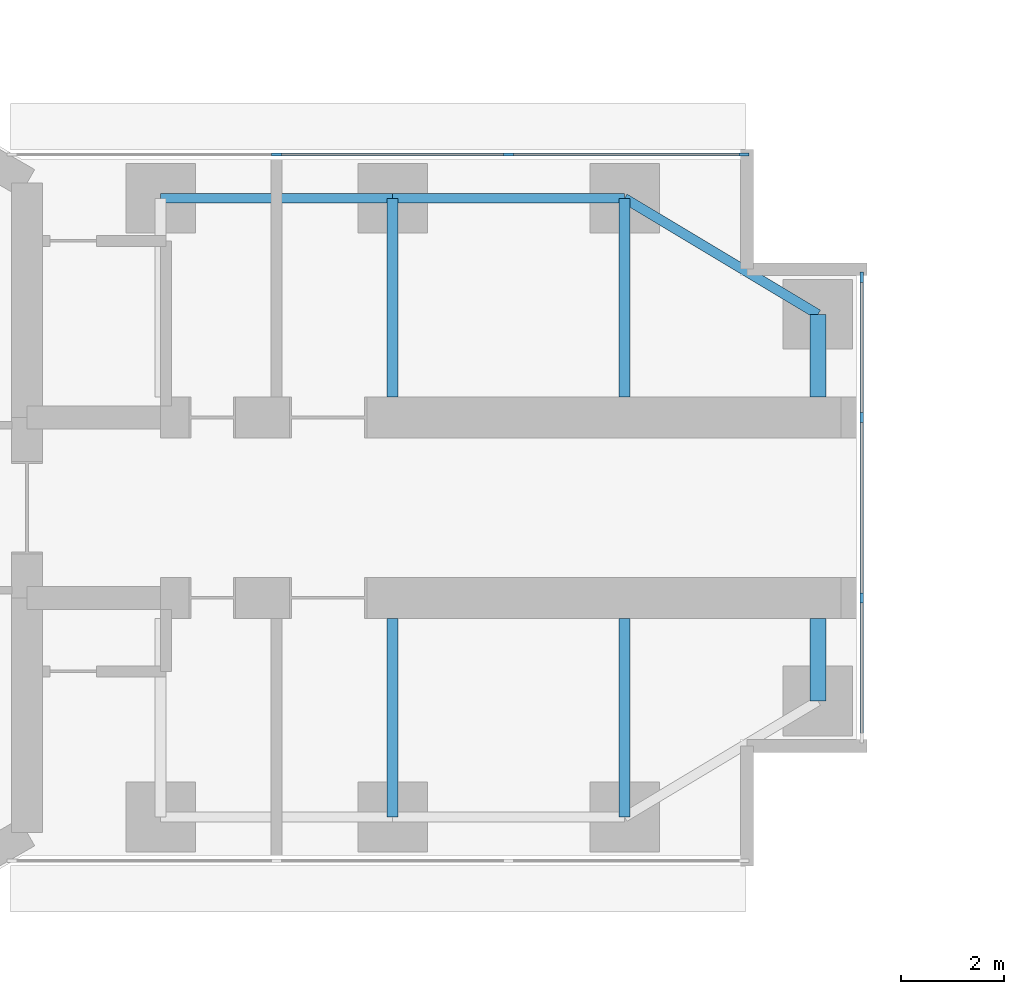
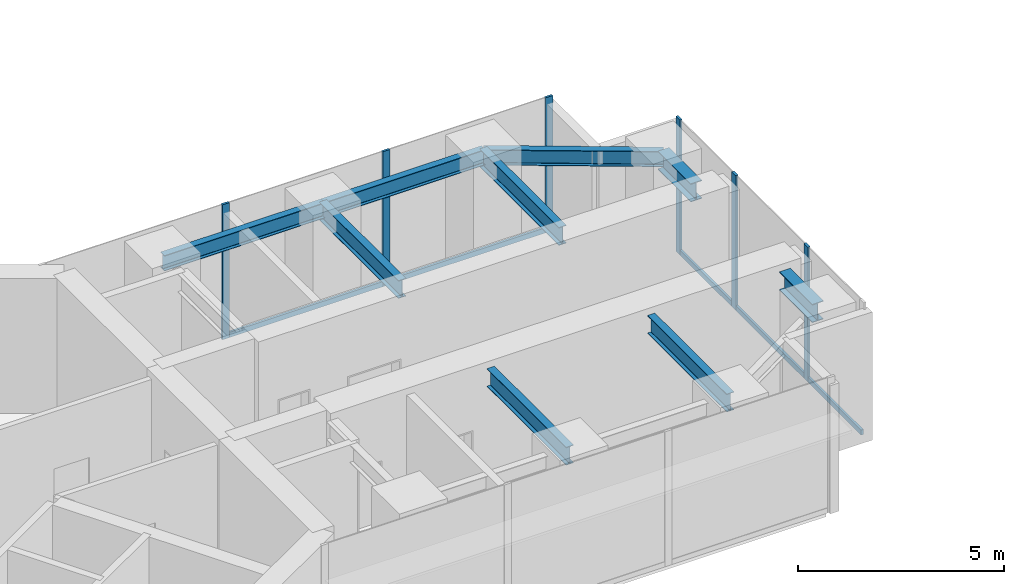
# One storey, part 7 of 21: 11 members, 9 beams, 2 elements without a shape of their own.
"""IFC4 building model written with IfcOpenShell, lengths in metres."""

import ifcopenshell
import ifcopenshell.guid

model = None  # the IFC model being written
_history = None  # IfcOwnerHistory: only IFC2X3 demands one
_inside = {}  # id of a spatial element -> (the spatial element, [elements in it])
_under = {}  # id of a project, library or spatial element -> (it, [spatial elements below it])
_declared = {}  # id of a project -> (the project, [libraries it declares])
_typed = {}  # id of a type object -> (the type object, [elements of that type])
_made_of = {}  # id of a material, layer set ... -> (it, [elements and type objects made of it])


def new_model(schema):
    """Start an empty IFC model of exactly this schema.

    Asked for "IFC4X3", IfcOpenShell would pick the latest addendum, in which some entities
    have other attributes; the version numbers below select the first issue.
    IFC2X3 requires an IfcOwnerHistory on every rooted entity: one is made here for all.
    """
    global model, _history
    if schema == "IFC4X3":
        model = ifcopenshell.file(schema_version=(4, 3, 0, 0))
    else:
        model = ifcopenshell.file(schema=schema)
    _inside.clear()
    _under.clear()
    _declared.clear()
    _typed.clear()
    _made_of.clear()
    _history = None
    if model.schema == "IFC2X3":
        org = make("IfcOrganization", Name="unknown")
        user = make(
            "IfcPersonAndOrganization",
            ThePerson=make("IfcPerson", FamilyName="unknown"),
            TheOrganization=org,
        )
        app = make(
            "IfcApplication",
            ApplicationDeveloper=org,
            Version="unknown",
            ApplicationFullName="unknown",
            ApplicationIdentifier="unknown",
        )
        _history = make(
            "IfcOwnerHistory",
            OwningUser=user,
            OwningApplication=app,
            ChangeAction="ADDED",
            CreationDate=0,
        )
    return model


def make(cls, **values):
    """One entity of the class cls with the attributes given. An attribute that is None is left unset."""
    return model.create_entity(
        cls, **{name: value for name, value in values.items() if value is not None}
    )


def rooted(cls, **values):
    """An entity with a GlobalId (a new one), such as an element, a storey or a relation."""
    return make(cls, GlobalId=ifcopenshell.guid.new(), OwnerHistory=_history, **values)


def si_unit(unit_type, name, prefix=None):
    """IfcSIUnit, for example si_unit("LENGTHUNIT", "METRE", prefix="MILLI")."""
    return make("IfcSIUnit", UnitType=unit_type, Prefix=prefix, Name=name)


def assignment(units):
    """IfcUnitAssignment: the units of a project."""
    return None if units is None else make("IfcUnitAssignment", Units=units)


def point(xyz):
    """IfcCartesianPoint."""
    return None if xyz is None else make("IfcCartesianPoint", Coordinates=xyz)


def direction(xyz):
    """IfcDirection."""
    return None if xyz is None else make("IfcDirection", DirectionRatios=xyz)


def frame(location, z_axis=None, x_axis=None):
    """IfcAxis2Placement3D, a coordinate frame: its origin and axes. An axis left out is left unset."""
    return make(
        "IfcAxis2Placement3D",
        Location=point(location),
        Axis=direction(z_axis),
        RefDirection=direction(x_axis),
    )


def frame_2d(location, x_axis=None):
    """IfcAxis2Placement2D, a coordinate frame in the plane: its origin and x axis."""
    return make(
        "IfcAxis2Placement2D", Location=point(location), RefDirection=direction(x_axis)
    )


def origin():
    """The frame at (0, 0, 0) with its axes left unset."""
    return frame((0.0, 0.0, 0.0))


def origin_2d():
    """The frame at (0, 0) in the plane with its x axis left unset."""
    return frame_2d((0.0, 0.0))


def place(relative_to, where):
    """IfcLocalPlacement: puts the frame where relative to a parent placement (None: the world)."""
    return make(
        "IfcLocalPlacement", PlacementRelTo=relative_to, RelativePlacement=where
    )


def context(
    kind, dimensions, precision=None, world=None, true_north=None, identifier=None
):
    """IfcGeometricRepresentationContext, for example the 3D "Model" context."""
    return make(
        "IfcGeometricRepresentationContext",
        ContextIdentifier=identifier,
        ContextType=kind,
        CoordinateSpaceDimension=dimensions,
        Precision=precision,
        WorldCoordinateSystem=world,
        TrueNorth=true_north,
    )


def subcontext(parent, identifier, kind, view, scale=None):
    """IfcGeometricRepresentationSubContext, for example "Body" below "Model"."""
    return make(
        "IfcGeometricRepresentationSubContext",
        ContextIdentifier=identifier,
        ContextType=kind,
        ParentContext=parent,
        TargetScale=scale,
        TargetView=view,
    )


def project(units=None, contexts=None):
    """IfcProject with its units and contexts."""
    return rooted(
        "IfcProject",
        Name="project",
        RepresentationContexts=contexts,
        UnitsInContext=assignment(units),
    )


def spatial(cls, under=None, at=None, **own):
    """A site, building, storey or space (cls), placed at a placement, below another one or the project."""
    s = rooted(cls, ObjectPlacement=at, **own)
    if under is not None:
        _under.setdefault(under.id(), (under, []))[1].append(s)
    return s


def profile(cls, at=None, kind="AREA", **sizes):
    """A parametric profile (cls). Its sizes go by their IFC names, for example OverallWidth=200.0."""
    return make(cls, ProfileType=kind, Position=at, **sizes)


def rectangle(**sizes):
    """IfcRectangleProfileDef."""
    return profile("IfcRectangleProfileDef", **sizes)


def i_section(**sizes):
    """IfcIShapeProfileDef."""
    return profile("IfcIShapeProfileDef", **sizes)


def extrude(swept, where, along, depth):
    """IfcExtrudedAreaSolid: the profile swept, set in the frame where, extruded along a direction by depth."""
    return make(
        "IfcExtrudedAreaSolid",
        SweptArea=swept,
        Position=where,
        ExtrudedDirection=direction(along),
        Depth=depth,
    )


def shape(context_of_items, identifier, shape_type, items):
    """IfcShapeRepresentation: the items that make up one representation, for example the "Body"."""
    return make(
        "IfcShapeRepresentation",
        ContextOfItems=context_of_items,
        RepresentationIdentifier=identifier,
        RepresentationType=shape_type,
        Items=items,
    )


def material(Name=None, Category=None):
    """IfcMaterial."""
    return make("IfcMaterial", Name=Name, Category=Category)


def material_profile(
    of_material, cross_section, Name=None, Category=None, Priority=None
):
    """IfcMaterialProfile: a cross section and its material."""
    return make(
        "IfcMaterialProfile",
        Name=Name,
        Material=of_material,
        Profile=cross_section,
        Priority=Priority,
        Category=Category,
    )


def profile_set(profiles, Name=None, composite=None):
    """IfcMaterialProfileSet."""
    return make(
        "IfcMaterialProfileSet",
        Name=Name,
        MaterialProfiles=profiles,
        CompositeProfile=composite,
    )


def made_of(thing, what):
    """Note that an element or type object is made of a material, layer set ...; save() writes the relation."""
    if what is not None:
        _made_of.setdefault(what.id(), (what, []))[1].append(thing)
    return thing


def type_object(cls, material=None, **own):
    """A type object (cls), such as IfcWallType, which elements share."""
    return made_of(rooted(cls, **own), material)


def element(
    cls,
    number,
    at=None,
    inside=None,
    cuts=None,
    type_object=None,
    material=None,
    context=None,
    identifier="Body",
    shape_type=None,
    held_by="IfcProductDefinitionShape",
    body=None,
    shapes=None,
    **own,
):
    """One element of the class cls, such as IfcWall. Its Tag is "e" and its number.

    at: its placement. inside: the storey or other place that contains it. cuts: it is an
    opening in that element (IfcRelVoidsElement). A single representation is given by context,
    identifier, shape_type and body (its items); several are given by shapes. held_by: the class
    of the entity that holds the representations. save() writes the other relations.
    """
    e = rooted(cls, Tag="e%d" % number, ObjectPlacement=at, **own)
    if body is not None:
        shapes = [shape(context, identifier, shape_type, body)]
    if shapes is not None:
        e.Representation = make(held_by, Representations=shapes)
    if inside is not None:
        _inside.setdefault(inside.id(), (inside, []))[1].append(e)
    if cuts is not None:
        rooted(
            "IfcRelVoidsElement", RelatingBuildingElement=cuts, RelatedOpeningElement=e
        )
    if type_object is not None:
        _typed.setdefault(type_object.id(), (type_object, []))[1].append(e)
    return made_of(e, material)


def aggregate(whole, parts):
    """IfcRelAggregates: a whole, such as a stair, and the parts it consists of."""
    return rooted("IfcRelAggregates", RelatingObject=whole, RelatedObjects=parts)


def save(model, path):
    """Write the relations noted so far, then the file.

    IfcRelAggregates (storeys below a building ...), IfcRelContainedInSpatialStructure (elements
    in a storey), IfcRelDefinesByType, IfcRelAssociatesMaterial and IfcRelDeclares: one each for
    every whole, place, type object, material and project.
    """
    for whole, parts in _under.values():
        aggregate(whole, parts)
    for where, things in _inside.values():
        rooted(
            "IfcRelContainedInSpatialStructure",
            RelatedElements=things,
            RelatingStructure=where,
        )
    for kind, things in _typed.values():
        rooted("IfcRelDefinesByType", RelatedObjects=things, RelatingType=kind)
    for what, things in _made_of.values():
        rooted("IfcRelAssociatesMaterial", RelatedObjects=things, RelatingMaterial=what)
    for by, libraries in _declared.values():
        rooted("IfcRelDeclares", RelatingContext=by, RelatedDefinitions=libraries)
    model.write(path)


model = new_model("IFC4")

# Units and contexts
model_context = context("Model", 3, precision=1e-05, world=origin(), true_north=direction((0.0, 1.0)))
body_context = subcontext(model_context, "Body", "Model", "MODEL_VIEW")
ifc_project = project(units=[si_unit("LENGTHUNIT", "METRE"), si_unit("AREAUNIT", "SQUARE_METRE"), si_unit("VOLUMEUNIT", "CUBIC_METRE"), si_unit("PLANEANGLEUNIT", "RADIAN"), si_unit("MASSUNIT", "GRAM", prefix="KILO")], contexts=[model_context])

# Site, building, storey
site_placement = place(None, origin())
site = spatial("IfcSite", under=ifc_project, at=site_placement, CompositionType="ELEMENT")
building_placement = place(site_placement, origin())
building = spatial("IfcBuilding", under=site, at=building_placement, Name="Upepo Twin Towers", CompositionType="ELEMENT")
storey_placement = place(building_placement, frame((0.0, 0.0, 105.5)))
storey = spatial("IfcBuildingStorey", under=building, at=storey_placement, Name="L25", CompositionType="ELEMENT", Elevation=105.5)

# Beams
ifc_material_1 = material(Name="Steel S355", Category="steel")
ifc_material_profile_1 = material_profile(ifc_material_1, i_section(OverallWidth=0.1904296875, OverallDepth=0.45703125, WebThickness=0.009033203125, FlangeThickness=0.014404296875, FilletRadius=0.01025390625, at=origin_2d()), Name="UB 457x191x74")
ifc_profile_set_1 = profile_set([ifc_material_profile_1], Name="Steel S355")
beam_type_1 = type_object("IfcBeamType", Name="Beam UB 457x191x74", PredefinedType="BEAM", material=ifc_profile_set_1)
for number, where, z_axis, x_axis, name in (
    (1, (13.5, 6.0, 3.571533203125), (1.0, 0.0, 0.0), (0.0, 1.0, 0.0), "T1 edge beam AL 13.5-18.0"),
    (2, (18.0, 6.0, 3.571533203125), (1.0, 0.0, 0.0), (0.0, 1.0, 0.0), "T1 edge beam AL 18.0-22.5"),
):
    element("IfcBeam", number, at=place(storey_placement, frame(where, z_axis=z_axis, x_axis=x_axis)), inside=storey, type_object=beam_type_1, Name=name, PredefinedType="BEAM", context=body_context, shape_type="SweptSolid", body=[
        extrude(i_section(OverallWidth=0.1904296875, OverallDepth=0.45703125, WebThickness=0.009033203125, FlangeThickness=0.014404296875, FilletRadius=0.01025390625, at=origin_2d()), origin(), (0.0, 0.0, 1.0), 4.5),
    ])
beam_placement = place(storey_placement, frame((22.5, 6.0, 3.571533203125), z_axis=(0.857492925713, -0.514495755428, 0.0), x_axis=(0.514495755428, 0.857492925713, 0.0)))
element("IfcBeam", 3, at=beam_placement, inside=storey, type_object=beam_type_1, Name="T1 nose edge beam AL", PredefinedType="BEAM", context=body_context, shape_type="SweptSolid", body=[
    extrude(i_section(OverallWidth=0.1904296875, OverallDepth=0.45703125, WebThickness=0.009033203125, FlangeThickness=0.014404296875, FilletRadius=0.01025390625, at=origin_2d()), origin(), (0.0, 0.0, 1.0), 4.373291015625),
])
ifc_material_2 = material(Name="Steel S355", Category="steel")
ifc_material_profile_2 = material_profile(ifc_material_2, i_section(OverallWidth=0.209228515625, OverallDepth=0.533203125, WebThickness=0.010009765625, FlangeThickness=0.015625, FilletRadius=0.0126953125, at=origin_2d()), Name="UB 533x210x92")
ifc_profile_set_2 = profile_set([ifc_material_profile_2], Name="Steel S355")
beam_type_2 = type_object("IfcBeamType", Name="Beam UB 533x210x92", PredefinedType="BEAM", material=ifc_profile_set_2)
for number, where, z_axis, x_axis, name in (
    (4, (18.0, 6.0, 3.533447265625), (0.0, -1.0, 0.0), (1.0, 0.0, 0.0), "T1 girder AL at 18.0"),
    (5, (22.5, 6.0, 3.533447265625), (0.0, -1.0, 0.0), (1.0, 0.0, 0.0), "T1 girder AL at 22.5"),
    (6, (18.0, -6.0, 3.533447265625), (0.0, 1.0, 0.0), (-1.0, 0.0, 0.0), "T1 girder AR at 18.0"),
    (7, (22.5, -6.0, 3.533447265625), (0.0, 1.0, 0.0), (-1.0, 0.0, 0.0), "T1 girder AR at 22.5"),
):
    element("IfcBeam", number, at=place(storey_placement, frame(where, z_axis=z_axis, x_axis=x_axis)), inside=storey, type_object=beam_type_2, Name=name, PredefinedType="BEAM", context=body_context, shape_type="SweptSolid", body=[
        extrude(i_section(OverallWidth=0.209228515625, OverallDepth=0.533203125, WebThickness=0.010009765625, FlangeThickness=0.015625, FilletRadius=0.0126953125, at=origin_2d()), origin(), (0.0, 0.0, 1.0), 3.85009765625),
    ])
ifc_material_3 = material(Name="Steel S355", Category="steel")
ifc_material_profile_3 = material_profile(ifc_material_3, i_section(OverallWidth=0.31201171875, OverallDepth=0.54345703125, WebThickness=0.0126953125, FlangeThickness=0.020263671875, FilletRadius=0.0126953125, at=origin_2d()), Name="UB 533x312x150")
ifc_profile_set_3 = profile_set([ifc_material_profile_3], Name="Steel S355")
beam_type_3 = type_object("IfcBeamType", Name="Beam UB 533x312x150", PredefinedType="BEAM", material=ifc_profile_set_3)
for number, where, z_axis, x_axis, name in (
    (8, (26.25, 3.75, 3.5283203125), (0.0, -1.0, 0.0), (1.0, 0.0, 0.0), "T1 nose beam AL"),
    (9, (26.25, -3.75, 3.5283203125), (0.0, 1.0, 0.0), (-1.0, 0.0, 0.0), "T1 nose beam AR"),
):
    element("IfcBeam", number, at=place(storey_placement, frame(where, z_axis=z_axis, x_axis=x_axis)), inside=storey, type_object=beam_type_3, Name=name, PredefinedType="BEAM", context=body_context, shape_type="SweptSolid", body=[
        extrude(i_section(OverallWidth=0.31201171875, OverallDepth=0.54345703125, WebThickness=0.0126953125, FlangeThickness=0.020263671875, FilletRadius=0.0126953125, at=origin_2d()), origin(), (0.0, 0.0, 1.0), 1.60009765625),
    ])

# Curtain wall, members
ifc_material_4 = material(Name="Aluminium and fritted glass", Category="aluminium")
curtain_wall_type = type_object("IfcCurtainWallType", Name="Tower curtain wall TW2, fritted glass", PredefinedType="NOTDEFINED", material=ifc_material_4)
curtain_wall_1_placement = place(storey_placement, origin())
curtain_wall_1 = element("IfcCurtainWall", 10, at=curtain_wall_1_placement, inside=storey, type_object=curtain_wall_type, Name="T1 L25 wing A flank L curtain wall", PredefinedType="NOTDEFINED")
ifc_material_5 = material(Name="Aluminium mullion", Category="aluminium")
ifc_material_profile_4 = material_profile(ifc_material_5, rectangle(XDim=0.06494140625, YDim=0.199951171875, at=origin_2d()), Name="MULLION 65x200")
ifc_profile_set_4 = profile_set([ifc_material_profile_4], Name="Aluminium mullion")
member_type_1 = type_object("IfcMemberType", Name="Mullion 65x200 TW2", PredefinedType="MULLION", material=ifc_profile_set_4)
member_1_placement = place(storey_placement, frame((15.75, 6.85009765625, 0.0), z_axis=(0.0, 0.0, 1.0), x_axis=(0.0, 1.0, 0.0)))
member_1 = element("IfcMember", 11, at=member_1_placement, type_object=member_type_1, Name="T1 L25 wing A flank L curtain wall mullion 2", PredefinedType="MULLION", context=body_context, shape_type="SweptSolid", body=[
    extrude(rectangle(XDim=0.06494140625, YDim=0.199951171875, at=origin_2d()), origin(), (0.0, 0.0, 1.0), 4.0),
])
member_2_placement = place(storey_placement, frame((20.25, 6.85009765625, 0.0), z_axis=(0.0, 0.0, 1.0), x_axis=(0.0, 1.0, 0.0)))
member_2 = element("IfcMember", 12, at=member_2_placement, type_object=member_type_1, Name="T1 L25 wing A flank L curtain wall mullion 3", PredefinedType="MULLION", context=body_context, shape_type="SweptSolid", body=[
    extrude(rectangle(XDim=0.06494140625, YDim=0.199951171875, at=origin_2d()), origin(), (0.0, 0.0, 1.0), 4.0),
])
member_3_placement = place(storey_placement, frame((24.8173828125, 6.85009765625, 0.0), z_axis=(0.0, 0.0, 1.0), x_axis=(0.0, 1.0, 0.0)))
member_3 = element("IfcMember", 13, at=member_3_placement, type_object=member_type_1, Name="T1 L25 wing A flank L curtain wall mullion 4", PredefinedType="MULLION", context=body_context, shape_type="SweptSolid", body=[
    extrude(rectangle(XDim=0.06494140625, YDim=0.199951171875, at=origin_2d()), origin(), (0.0, 0.0, 1.0), 4.0),
])

curtain_wall_2_placement = place(storey_placement, origin())
curtain_wall_2 = element("IfcCurtainWall", 14, at=curtain_wall_2_placement, inside=storey, type_object=curtain_wall_type, Name="T1 L25 wing A nose curtain wall", PredefinedType="NOTDEFINED")
member_4_placement = place(storey_placement, frame((27.10009765625, -1.75, 0.0), z_axis=(0.0, 0.0, 1.0), x_axis=(-1.0, 0.0, 0.0)))
member_4 = element("IfcMember", 15, at=member_4_placement, type_object=member_type_1, Name="T1 L25 wing A nose curtain wall mullion 2", PredefinedType="MULLION", context=body_context, shape_type="SweptSolid", body=[
    extrude(rectangle(XDim=0.06494140625, YDim=0.199951171875, at=origin_2d()), origin(), (0.0, 0.0, 1.0), 4.0),
])
member_5_placement = place(storey_placement, frame((27.10009765625, 1.75, 0.0), z_axis=(0.0, 0.0, 1.0), x_axis=(-1.0, 0.0, 0.0)))
member_5 = element("IfcMember", 16, at=member_5_placement, type_object=member_type_1, Name="T1 L25 wing A nose curtain wall mullion 3", PredefinedType="MULLION", context=body_context, shape_type="SweptSolid", body=[
    extrude(rectangle(XDim=0.06494140625, YDim=0.199951171875, at=origin_2d()), origin(), (0.0, 0.0, 1.0), 4.0),
])
member_6_placement = place(storey_placement, frame((27.10009765625, 4.467529296875, 0.0), z_axis=(0.0, 0.0, 1.0), x_axis=(-1.0, 0.0, 0.0)))
member_6 = element("IfcMember", 17, at=member_6_placement, type_object=member_type_1, Name="T1 L25 wing A nose curtain wall mullion 4", PredefinedType="MULLION", context=body_context, shape_type="SweptSolid", body=[
    extrude(rectangle(XDim=0.06494140625, YDim=0.199951171875, at=origin_2d()), origin(), (0.0, 0.0, 1.0), 4.0),
])

# Member
ifc_material_6 = material(Name="Aluminium transom", Category="aluminium")
ifc_material_profile_5 = material_profile(ifc_material_6, rectangle(XDim=0.06494140625, YDim=0.14990234375, at=origin_2d()), Name="TRANSOM 65x150")
ifc_profile_set_5 = profile_set([ifc_material_profile_5], Name="Aluminium transom")
member_type_2 = type_object("IfcMemberType", Name="Transom 65x150 TW2", PredefinedType="USERDEFINED", material=ifc_profile_set_5)
member_7_placement = place(storey_placement, frame((15.782470703125, 6.85009765625, 0.074951171875), z_axis=(1.0, 0.0, 0.0), x_axis=(0.0, 1.0, 0.0)))
member_7 = element("IfcMember", 18, at=member_7_placement, type_object=member_type_2, Name="T1 L25 wing A flank L curtain wall transom 2", ObjectType="TRANSOM", PredefinedType="USERDEFINED", context=body_context, shape_type="SweptSolid", body=[
    extrude(rectangle(XDim=0.06494140625, YDim=0.14990234375, at=origin_2d()), origin(), (0.0, 0.0, 1.0), 4.43505859375),
])

member_8_placement = place(storey_placement, frame((20.282470703125, 6.85009765625, 0.074951171875), z_axis=(1.0, 0.0, 0.0), x_axis=(0.0, 1.0, 0.0)))
member_8 = element("IfcMember", 19, at=member_8_placement, type_object=member_type_2, Name="T1 L25 wing A flank L curtain wall transom 3", ObjectType="TRANSOM", PredefinedType="USERDEFINED", context=body_context, shape_type="SweptSolid", body=[
    extrude(rectangle(XDim=0.06494140625, YDim=0.14990234375, at=origin_2d()), origin(), (0.0, 0.0, 1.0), 4.50244140625),
])

aggregate(curtain_wall_1, [member_1, member_2, member_3, member_7, member_8])

member_9_placement = place(storey_placement, frame((27.10009765625, -4.43505859375, 0.074951171875), z_axis=(0.0, 1.0, 0.0), x_axis=(-1.0, 0.0, 0.0)))
member_9 = element("IfcMember", 20, at=member_9_placement, type_object=member_type_2, Name="T1 L25 wing A nose curtain wall transom 1", ObjectType="TRANSOM", PredefinedType="USERDEFINED", context=body_context, shape_type="SweptSolid", body=[
    extrude(rectangle(XDim=0.06494140625, YDim=0.14990234375, at=origin_2d()), origin(), (0.0, 0.0, 1.0), 2.652587890625),
])

member_10_placement = place(storey_placement, frame((27.10009765625, -1.717529296875, 0.074951171875), z_axis=(0.0, 1.0, 0.0), x_axis=(-1.0, 0.0, 0.0)))
member_10 = element("IfcMember", 21, at=member_10_placement, type_object=member_type_2, Name="T1 L25 wing A nose curtain wall transom 2", ObjectType="TRANSOM", PredefinedType="USERDEFINED", context=body_context, shape_type="SweptSolid", body=[
    extrude(rectangle(XDim=0.06494140625, YDim=0.14990234375, at=origin_2d()), origin(), (0.0, 0.0, 1.0), 3.43505859375),
])

member_11_placement = place(storey_placement, frame((27.10009765625, 1.782470703125, 0.074951171875), z_axis=(0.0, 1.0, 0.0), x_axis=(-1.0, 0.0, 0.0)))
member_11 = element("IfcMember", 22, at=member_11_placement, type_object=member_type_2, Name="T1 L25 wing A nose curtain wall transom 3", ObjectType="TRANSOM", PredefinedType="USERDEFINED", context=body_context, shape_type="SweptSolid", body=[
    extrude(rectangle(XDim=0.06494140625, YDim=0.14990234375, at=origin_2d()), origin(), (0.0, 0.0, 1.0), 2.652587890625),
])

aggregate(curtain_wall_2, [member_4, member_5, member_6, member_9, member_10, member_11])

save(model, "model.ifc")
